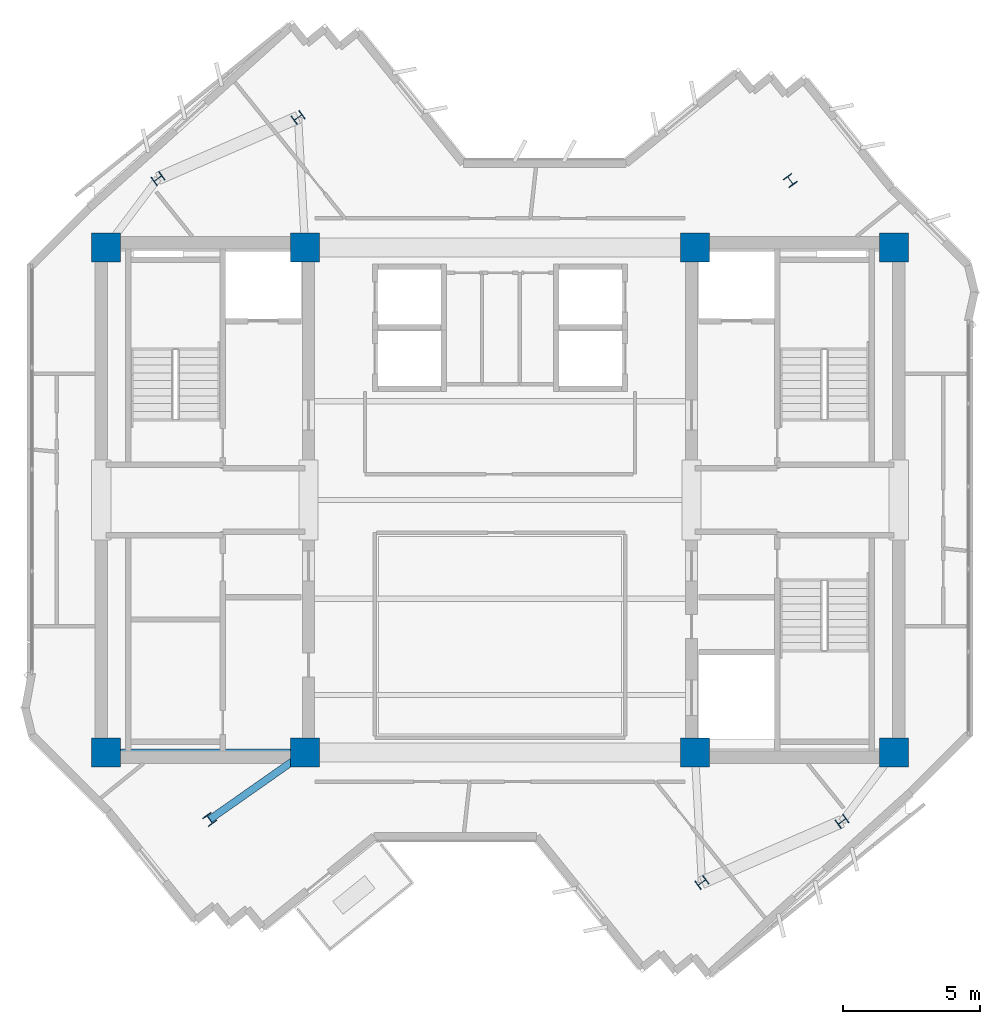
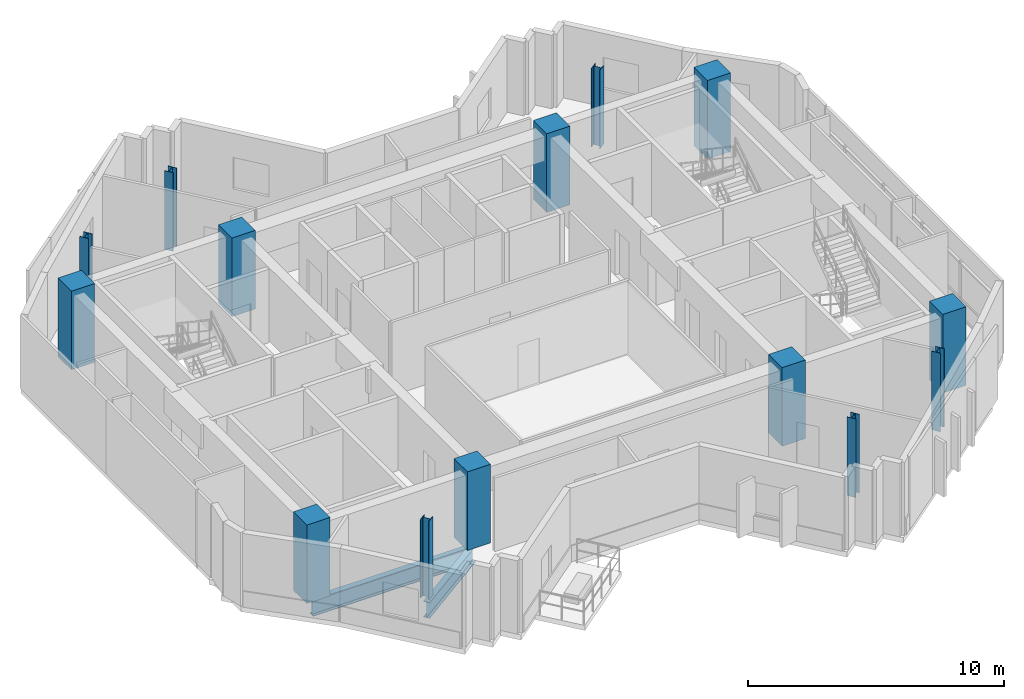
# One storey, part 1 of 11: 14 columns, 2 beams.
"""IFC4 building model written with IfcOpenShell, lengths in metres."""

from ifc_helpers import new_model, si_unit, direction, frame, origin, origin_2d, place, context, subcontext, project, spatial, rectangle, i_section, extrude, source, transform, mapped, material, material_profile, profile_set, type_object, element, save


model = new_model("IFC4")

# Units and contexts
model_context = context("Model", 3, precision=1e-05, world=origin(), true_north=direction((0.0, 1.0)))
body_context = subcontext(model_context, "Body", "Model", "MODEL_VIEW")
ifc_project = project(units=[si_unit("LENGTHUNIT", "METRE"), si_unit("AREAUNIT", "SQUARE_METRE"), si_unit("VOLUMEUNIT", "CUBIC_METRE"), si_unit("PLANEANGLEUNIT", "RADIAN"), si_unit("MASSUNIT", "GRAM", prefix="KILO")], contexts=[model_context])

# Site, building, storey
site_placement = place(None, origin())
site = spatial("IfcSite", under=ifc_project, at=site_placement, CompositionType="ELEMENT")
building_placement = place(site_placement, origin())
building = spatial("IfcBuilding", under=site, at=building_placement, Name="Zahravan Cultural Tower", CompositionType="ELEMENT")
storey_placement = place(building_placement, frame((0.0, 0.0, 287.85009765625)))
storey = spatial("IfcBuildingStorey", under=building, at=storey_placement, Name="L69", CompositionType="ELEMENT", Elevation=287.85009765625)

# Columns
ifc_material_1 = material(Name="Concrete C50/60", Category="concrete")
ifc_material_profile_1 = material_profile(ifc_material_1, rectangle(XDim=1.050048828125, YDim=1.050048828125, at=origin_2d()), Name="RC1050X1050")
ifc_profile_set_1 = profile_set([ifc_material_profile_1], Name="Concrete C50/60")
column_type_1 = type_object("IfcColumnType", Name="COL-RC1050", PredefinedType="COLUMN", material=ifc_profile_set_1)
shared_shape_1 = source(origin(), body_context, "Body", "SweptSolid", [
    extrude(rectangle(XDim=1.050048828125, YDim=1.050048828125, at=origin_2d()), origin(), (0.0, 0.0, 1.0), 3.75),
])
for number, where, z_axis, x_axis, name in (
    (1, (21.64990234375, 17.800048828125, 0.0), (0.0, 0.0, 1.0), (1.0, 0.0, 0.0), "L69 Column CC-W1"),
    (2, (28.89990234375, 17.800048828125, 0.0), (0.0, 0.0, 1.0), (1.0, 0.0, 0.0), "L69 Column CC-W2"),
    (3, (21.64990234375, 36.199951171875, 0.0), (0.0, 0.0, 1.0), (1.0, 0.0, 0.0), "L69 Column CC-W3"),
    (4, (28.89990234375, 36.199951171875, 0.0), (0.0, 0.0, 1.0), (1.0, 0.0, 0.0), "L69 Column CC-W4"),
    (5, (43.10009765625, 17.800048828125, 0.0), (0.0, 0.0, 1.0), (1.0, 0.0, 0.0), "L69 Column CC-E1"),
    (6, (50.35009765625, 17.800048828125, 0.0), (0.0, 0.0, 1.0), (1.0, 0.0, 0.0), "L69 Column CC-E2"),
    (7, (43.10009765625, 36.199951171875, 0.0), (0.0, 0.0, 1.0), (1.0, 0.0, 0.0), "L69 Column CC-E3"),
    (8, (50.35009765625, 36.199951171875, 0.0), (0.0, 0.0, 1.0), (1.0, 0.0, 0.0), "L69 Column CC-E4"),
):
    element("IfcColumn", number, at=place(storey_placement, frame(where, z_axis=z_axis, x_axis=x_axis)), inside=storey, type_object=column_type_1, Name=name, PredefinedType="COLUMN", context=body_context, shape_type="MappedRepresentation", body=[
        mapped(shared_shape_1, transform((0.0, 0.0, 0.0), x_axis=(1.0, 0.0, 0.0), y_axis=(0.0, 1.0, 0.0), z_axis=(0.0, 0.0, 1.0), scale=1.0)),
    ])
ifc_material_2 = material(Name="Steel ASTM A992 Grade 50", Category="steel")
ifc_material_profile_2 = material_profile(ifc_material_2, i_section(OverallWidth=0.3740234375, OverallDepth=0.3720703125, WebThickness=0.016357421875, FlangeThickness=0.026123046875, FilletRadius=0.01806640625, at=origin_2d()), Name="W14X132")
ifc_profile_set_2 = profile_set([ifc_material_profile_2], Name="Steel ASTM A992 Grade 50")
column_type_2 = type_object("IfcColumnType", Name="COL-W14X132", PredefinedType="COLUMN", material=ifc_profile_set_2)
shared_shape_2 = source(origin(), body_context, "Body", "SweptSolid", [
    extrude(i_section(OverallWidth=0.3740234375, OverallDepth=0.3720703125, WebThickness=0.016357421875, FlangeThickness=0.026123046875, FilletRadius=0.01806640625, at=origin_2d()), origin(), (0.0, 0.0, 1.0), 3.75),
])
for number, where, z_axis, x_axis, name in (
    (9, (46.577880859375, 38.640625, 0.0), (0.0, 0.0, 1.0), (0.809016994375, 0.587785252292, 0.0), "L69 Column Z3C-E2"),
    (10, (28.642578125, 40.937255859375, 0.0), (0.0, 0.0, 1.0), (-0.587785252292, 0.809016994375, 0.0), "L69 Column Z3C-N1"),
    (11, (23.536376953125, 38.710693359375, 0.0), (0.0, 0.0, 1.0), (-0.587785252292, 0.809016994375, 0.0), "L69 Column Z3C-N2"),
    (12, (25.422119140625, 15.359375, 0.0), (0.0, 0.0, 1.0), (0.809016994375, 0.587785252292, 0.0), "L69 Column Z3C-W2"),
    (13, (43.357421875, 13.062744140625, 0.0), (0.0, 0.0, 1.0), (-0.587785252292, 0.809016994375, 0.0), "L69 Column Z3C-S1"),
    (14, (48.463623046875, 15.289306640625, 0.0), (0.0, 0.0, 1.0), (-0.587785252292, 0.809016994375, 0.0), "L69 Column Z3C-S2"),
):
    element("IfcColumn", number, at=place(storey_placement, frame(where, z_axis=z_axis, x_axis=x_axis)), inside=storey, type_object=column_type_2, Name=name, PredefinedType="COLUMN", context=body_context, shape_type="MappedRepresentation", body=[
        mapped(shared_shape_2, transform((0.0, 0.0, 0.0), x_axis=(1.0, 0.0, 0.0), y_axis=(0.0, 1.0, 0.0), z_axis=(0.0, 0.0, 1.0), scale=1.0)),
    ])

# Beams
ifc_material_profile_3 = material_profile(ifc_material_2, i_section(OverallWidth=0.26611328125, OverallDepth=0.780029296875, WebThickness=0.0166015625, FlangeThickness=0.030029296875, FilletRadius=0.01904296875, at=origin_2d()), Name="W30X148")
ifc_profile_set_3 = profile_set([ifc_material_profile_3], Name="Steel ASTM A992 Grade 50")
beam_type_1 = type_object("IfcBeamType", Name="BM-G-W30X148", PredefinedType="BEAM", material=ifc_profile_set_3)
shared_shape_3 = source(origin(), body_context, "Body", "SweptSolid", [
    extrude(i_section(OverallWidth=0.26611328125, OverallDepth=0.780029296875, WebThickness=0.0166015625, FlangeThickness=0.030029296875, FilletRadius=0.01904296875, at=origin_2d()), origin(), (0.0, 0.0, 1.0), 7.25),
])
beam_1_placement = place(storey_placement, frame((21.64990234375, 17.800048828125, -0.64013671875), z_axis=(1.0, 0.0, 0.0), x_axis=(0.0, 1.0, 0.0)))
element("IfcBeam", 15, at=beam_1_placement, inside=storey, type_object=beam_type_1, Name="L69 Beam BG-L69-01", PredefinedType="BEAM", context=body_context, shape_type="MappedRepresentation", body=[
    mapped(shared_shape_3, transform((0.0, 0.0, 0.0), x_axis=(1.0, 0.0, 0.0), y_axis=(0.0, 1.0, 0.0), z_axis=(0.0, 0.0, 1.0), scale=1.0)),
])
ifc_material_profile_4 = material_profile(ifc_material_2, i_section(OverallWidth=0.26708984375, OverallDepth=0.761962890625, WebThickness=0.014404296875, FlangeThickness=0.021484375, FilletRadius=0.01904296875, at=origin_2d()), Name="W30X116")
ifc_profile_set_4 = profile_set([ifc_material_profile_4], Name="Steel ASTM A992 Grade 50")
beam_type_2 = type_object("IfcBeamType", Name="BM-G-W30X116", PredefinedType="BEAM", material=ifc_profile_set_4)
shared_shape_4 = source(origin(), body_context, "Body", "SweptSolid", [
    extrude(i_section(OverallWidth=0.26708984375, OverallDepth=0.761962890625, WebThickness=0.014404296875, FlangeThickness=0.021484375, FilletRadius=0.01904296875, at=origin_2d()), origin(), (0.0, 0.0, 1.0), 4.248779296875),
])
beam_2_placement = place(storey_placement, frame((28.89990234375, 17.800048828125, -0.631103515625), z_axis=(-0.81854294596, -0.574445337365, 0.0), x_axis=(0.574445337365, -0.81854294596, 0.0)))
element("IfcBeam", 16, at=beam_2_placement, inside=storey, type_object=beam_type_2, Name="L69 Beam BG-L69-07", PredefinedType="BEAM", context=body_context, shape_type="MappedRepresentation", body=[
    mapped(shared_shape_4, transform((0.0, 0.0, 0.0), x_axis=(1.0, 0.0, 0.0), y_axis=(0.0, 1.0, 0.0), z_axis=(0.0, 0.0, 1.0), scale=1.0)),
])

save(model, "model.ifc")
